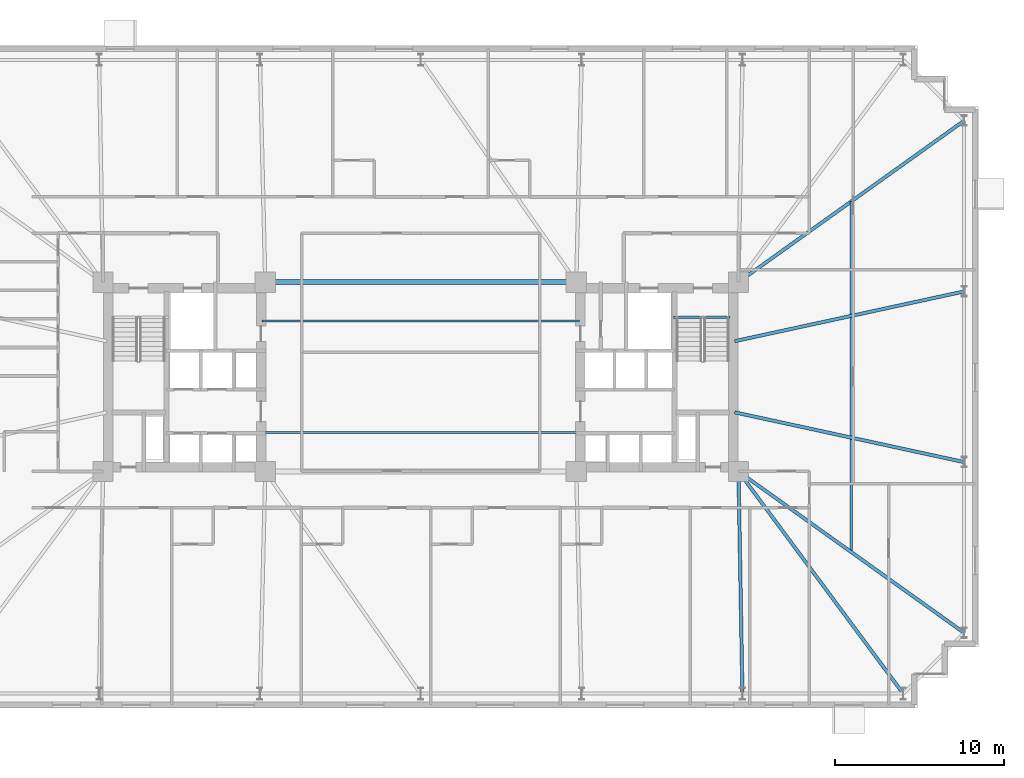
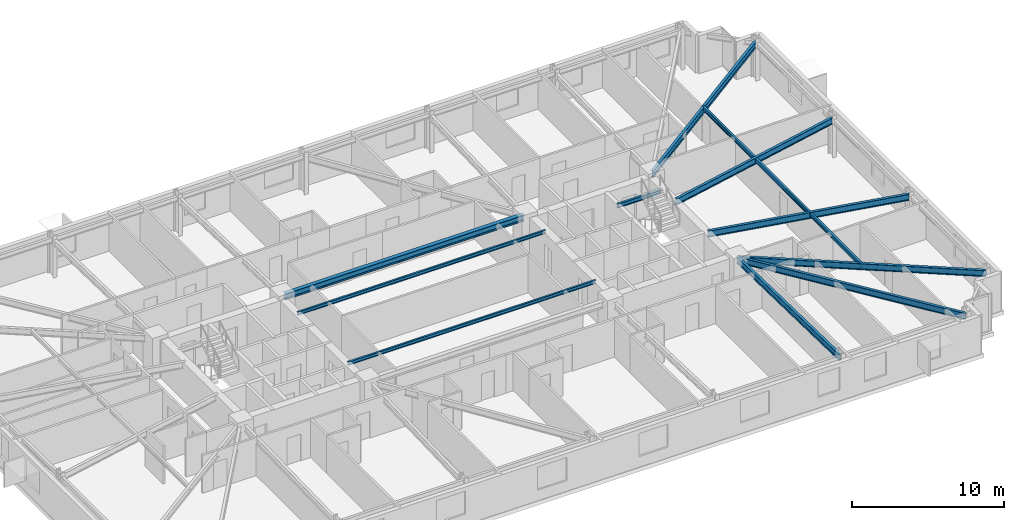
# One storey, part 7 of 21: 11 beams.
"""IFC4 building model written with IfcOpenShell, lengths in metres."""

from ifc_helpers import new_model, si_unit, direction, frame, origin, origin_2d, place, context, subcontext, project, spatial, i_section, extrude, material, material_profile, profile_set, type_object, element, save


model = new_model("IFC4")

# Units and contexts
model_context = context("Model", 3, precision=1e-05, world=origin(), true_north=direction((0.0, 1.0)))
body_context = subcontext(model_context, "Body", "Model", "MODEL_VIEW")
ifc_project = project(units=[si_unit("LENGTHUNIT", "METRE"), si_unit("AREAUNIT", "SQUARE_METRE"), si_unit("VOLUMEUNIT", "CUBIC_METRE"), si_unit("PLANEANGLEUNIT", "RADIAN"), si_unit("MASSUNIT", "GRAM", prefix="KILO")], contexts=[model_context])

# Site, building, storey
site_placement = place(None, origin())
site = spatial("IfcSite", under=ifc_project, at=site_placement, CompositionType="ELEMENT")
building_placement = place(site_placement, origin())
building = spatial("IfcBuilding", under=site, at=building_placement, Name="Qobustan Lattice House", CompositionType="ELEMENT")
storey_placement = place(building_placement, frame((0.0, 0.0, 37.050048828125)))
storey = spatial("IfcBuildingStorey", under=building, at=storey_placement, Name="L09", CompositionType="ELEMENT", Elevation=37.050048828125)

# Beams
ifc_material_1 = material(Name="Steel S355", Category="steel")
ifc_material_profile_1 = material_profile(ifc_material_1, i_section(OverallWidth=0.300048828125, OverallDepth=0.5, WebThickness=0.014404296875, FlangeThickness=0.028076171875, FilletRadius=0.027099609375, at=origin_2d()), Name="HEB500")
ifc_profile_set_1 = profile_set([ifc_material_profile_1], Name="Steel S355")
beam_type_1 = type_object("IfcBeamType", Name="BM-CG-HEB500", PredefinedType="USERDEFINED", material=ifc_profile_set_1)
beam_1_placement = place(storey_placement, frame((-9.050048828125, 5.60009765625, 2.784912109375), z_axis=(1.0, 0.0, 0.0), x_axis=(0.0, 1.0, 0.0)))
element("IfcBeam", 1, at=beam_1_placement, inside=storey, type_object=beam_type_1, Name="L09 core spine girder CG-CN", ObjectType="GIRDER", PredefinedType="USERDEFINED", context=body_context, shape_type="SweptSolid", body=[
    extrude(i_section(OverallWidth=0.300048828125, OverallDepth=0.5, WebThickness=0.014404296875, FlangeThickness=0.028076171875, FilletRadius=0.027099609375, at=origin_2d()), origin(), (0.0, 0.0, 1.0), 18.10009765625),
])
ifc_material_2 = material(Name="Steel S355", Category="steel")
ifc_material_profile_2 = material_profile(ifc_material_2, i_section(OverallWidth=0.199951171875, OverallDepth=0.5, WebThickness=0.01025390625, FlangeThickness=0.01611328125, FilletRadius=0.02099609375, at=origin_2d()), Name="IPE500")
ifc_profile_set_2 = profile_set([ifc_material_profile_2], Name="Steel S355")
beam_type_2 = type_object("IfcBeamType", Name="BM-FLG-IPE500", PredefinedType="USERDEFINED", material=ifc_profile_set_2)
beam_2_placement = place(storey_placement, frame((19.032958984375, -18.72509765625, 2.784912109375), z_axis=(-0.017757831607, 0.999842317276, 0.0), x_axis=(-0.999842317276, -0.017757831607, 0.0)))
element("IfcBeam", 2, at=beam_2_placement, inside=storey, type_object=beam_type_2, Name="L09 primary floor girder RAD-S6", ObjectType="GIRDER", PredefinedType="USERDEFINED", context=body_context, shape_type="SweptSolid", body=[
    extrude(i_section(OverallWidth=0.199951171875, OverallDepth=0.5, WebThickness=0.01025390625, FlangeThickness=0.01611328125, FilletRadius=0.02099609375, at=origin_2d()), origin(), (0.0, 0.0, 1.0), 13.10205078125),
])
beam_3_placement = place(storey_placement, frame((28.53515625, -18.72998046875, 2.784912109375), z_axis=(-0.5955916815, 0.803287338956, 0.0), x_axis=(-0.803287338956, -0.5955916815, 0.0)))
element("IfcBeam", 3, at=beam_3_placement, inside=storey, type_object=beam_type_2, Name="L09 primary floor girder RAD-S7E", ObjectType="GIRDER", PredefinedType="USERDEFINED", context=body_context, shape_type="SweptSolid", body=[
    extrude(i_section(OverallWidth=0.199951171875, OverallDepth=0.5, WebThickness=0.01025390625, FlangeThickness=0.01611328125, FilletRadius=0.02099609375, at=origin_2d()), origin(), (0.0, 0.0, 1.0), 16.3203125),
])
beam_4_placement = place(storey_placement, frame((32.129638671875, 15.135498046875, 2.784912109375), z_axis=(-0.813318954893, -0.581818079481, 0.0), x_axis=(0.581818079481, -0.813318954893, 0.0)))
element("IfcBeam", 4, at=beam_4_placement, inside=storey, type_object=beam_type_2, Name="L09 primary floor girder RAD-E4", ObjectType="GIRDER", PredefinedType="USERDEFINED", context=body_context, shape_type="SweptSolid", body=[
    extrude(i_section(OverallWidth=0.199951171875, OverallDepth=0.5, WebThickness=0.01025390625, FlangeThickness=0.01611328125, FilletRadius=0.02099609375, at=origin_2d()), origin(), (0.0, 0.0, 1.0), 16.3642578125),
])
for number, where, z_axis, x_axis, name in (
    (5, (32.12548828125, 5.044677734375, 2.784912109375), (-0.97727240275, -0.211987383643, 0.0), (0.211987383643, -0.97727240275, 0.0), "L09 primary floor girder RAD-E3"),
    (6, (32.12548828125, -5.044677734375, 2.784912109375), (-0.97727240275, 0.211987383643, 0.0), (-0.211987383643, -0.97727240275, 0.0), "L09 primary floor girder RAD-E2"),
):
    element("IfcBeam", number, at=place(storey_placement, frame(where, z_axis=z_axis, x_axis=x_axis)), inside=storey, type_object=beam_type_2, Name=name, ObjectType="GIRDER", PredefinedType="USERDEFINED", context=body_context, shape_type="SweptSolid", body=[
        extrude(i_section(OverallWidth=0.199951171875, OverallDepth=0.5, WebThickness=0.01025390625, FlangeThickness=0.01611328125, FilletRadius=0.02099609375, at=origin_2d()), origin(), (0.0, 0.0, 1.0), 13.8662109375),
    ])
beam_5_placement = place(storey_placement, frame((32.129638671875, -15.135498046875, 2.784912109375), z_axis=(-0.813318954893, 0.581818079481, 0.0), x_axis=(-0.581818079481, -0.813318954893, 0.0)))
element("IfcBeam", 7, at=beam_5_placement, inside=storey, type_object=beam_type_2, Name="L09 primary floor girder RAD-E1", ObjectType="GIRDER", PredefinedType="USERDEFINED", context=body_context, shape_type="SweptSolid", body=[
    extrude(i_section(OverallWidth=0.199951171875, OverallDepth=0.5, WebThickness=0.01025390625, FlangeThickness=0.01611328125, FilletRadius=0.02099609375, at=origin_2d()), origin(), (0.0, 0.0, 1.0), 16.3642578125),
])
ifc_material_3 = material(Name="Steel S355", Category="steel")
ifc_material_profile_3 = material_profile(ifc_material_3, i_section(OverallWidth=0.135009765625, OverallDepth=0.27001953125, WebThickness=0.006591796875, FlangeThickness=0.01025390625, FilletRadius=0.014892578125, at=origin_2d()), Name="IPE270")
ifc_profile_set_3 = profile_set([ifc_material_profile_3], Name="Steel S355")
beam_type_3 = type_object("IfcBeamType", Name="BM-JST-IPE270", PredefinedType="JOIST", material=ifc_profile_set_3)
for number, where, z_axis, x_axis, name in (
    (8, (-9.39990234375, -3.300048828125, 2.89990234375), (1.0, 0.0, 0.0), (0.0, 1.0, 0.0), "L09 central span floor joist 1"),
    (9, (-9.39990234375, 3.300048828125, 2.89990234375), (1.0, 0.0, 0.0), (0.0, 1.0, 0.0), "L09 central span floor joist 2"),
):
    element("IfcBeam", number, at=place(storey_placement, frame(where, z_axis=z_axis, x_axis=x_axis)), inside=storey, type_object=beam_type_3, Name=name, PredefinedType="JOIST", context=body_context, shape_type="SweptSolid", body=[
        extrude(i_section(OverallWidth=0.135009765625, OverallDepth=0.27001953125, WebThickness=0.006591796875, FlangeThickness=0.01025390625, FilletRadius=0.014892578125, at=origin_2d()), origin(), (0.0, 0.0, 1.0), 18.7998046875),
    ])
ifc_material_4 = material(Name="Steel S355", Category="steel")
ifc_material_profile_4 = material_profile(ifc_material_4, i_section(OverallWidth=0.159912109375, OverallDepth=0.330078125, WebThickness=0.007568359375, FlangeThickness=0.011474609375, FilletRadius=0.01806640625, at=origin_2d()), Name="IPE330")
ifc_profile_set_4 = profile_set([ifc_material_profile_4], Name="Steel S355")
beam_type_4 = type_object("IfcBeamType", Name="BM-SEC-IPE330", PredefinedType="BEAM", material=ifc_profile_set_4)
beam_6_placement = place(storey_placement, frame((25.47509765625, 10.375, 2.869873046875), z_axis=(0.0, -1.0, 0.0), x_axis=(1.0, 0.0, 0.0)))
element("IfcBeam", 10, at=beam_6_placement, inside=storey, type_object=beam_type_4, Name="L09 east wing secondary beam", PredefinedType="BEAM", context=body_context, shape_type="SweptSolid", body=[
    extrude(i_section(OverallWidth=0.159912109375, OverallDepth=0.330078125, WebThickness=0.007568359375, FlangeThickness=0.011474609375, FilletRadius=0.01806640625, at=origin_2d()), origin(), (0.0, 0.0, 1.0), 20.75),
])
ifc_material_5 = material(Name="Steel S355", Category="steel")
ifc_material_profile_5 = material_profile(ifc_material_5, i_section(OverallWidth=0.159912109375, OverallDepth=0.330078125, WebThickness=0.007568359375, FlangeThickness=0.011474609375, FilletRadius=0.01806640625, at=origin_2d()), Name="IPE330")
ifc_profile_set_5 = profile_set([ifc_material_profile_5], Name="Steel S355")
beam_type_5 = type_object("IfcBeamType", Name="BM-SPD-IPE330", PredefinedType="SPANDREL", material=ifc_profile_set_5)
beam_7_placement = place(storey_placement, frame((14.949951171875, 3.52001953125, 2.869873046875), z_axis=(1.0, 0.0, 0.0), x_axis=(0.0, 1.0, 0.0)))
element("IfcBeam", 11, at=beam_7_placement, inside=storey, type_object=beam_type_5, Name="L09 east stair landing trimmer beam", PredefinedType="SPANDREL", context=body_context, shape_type="SweptSolid", body=[
    extrude(i_section(OverallWidth=0.159912109375, OverallDepth=0.330078125, WebThickness=0.007568359375, FlangeThickness=0.011474609375, FilletRadius=0.01806640625, at=origin_2d()), origin(), (0.0, 0.0, 1.0), 3.35009765625),
])

save(model, "model.ifc")
